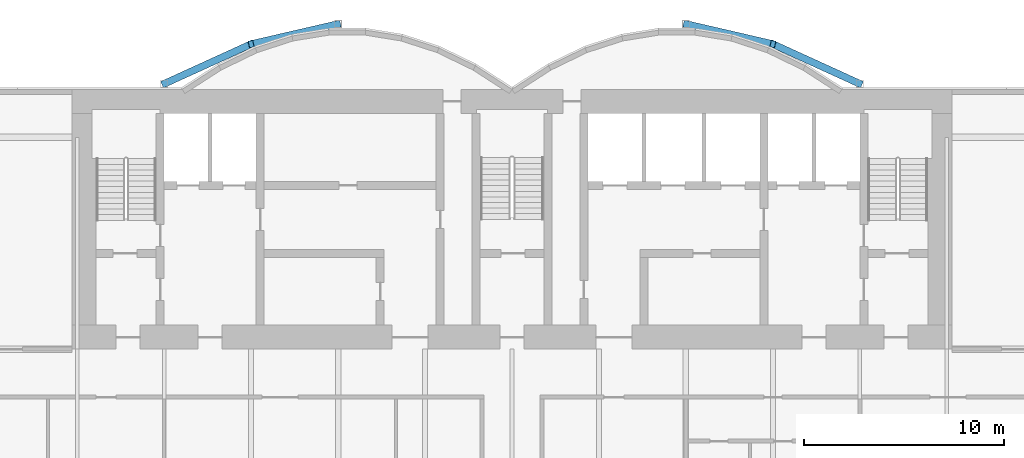
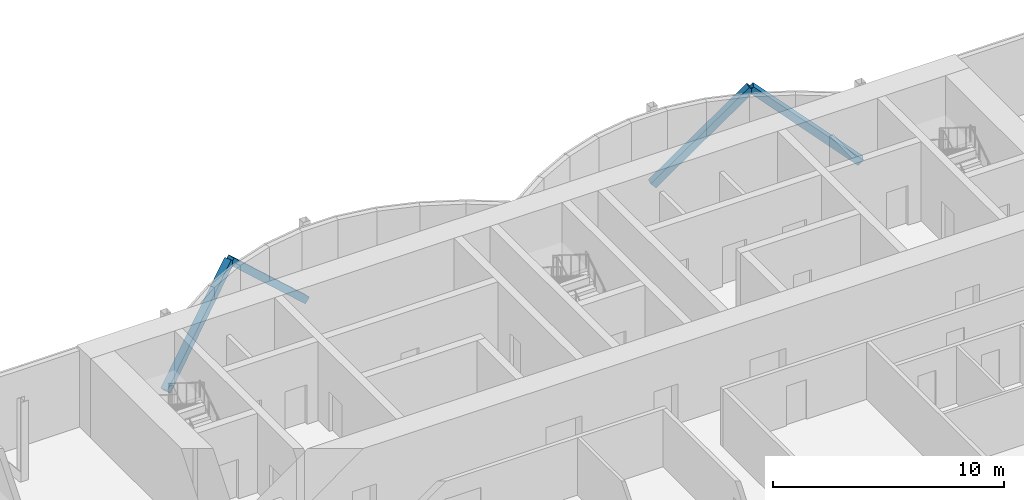
# One storey, part 10 of 19: 4 members.
"""IFC4 building model written with IfcOpenShell, lengths in metres."""

from ifc_helpers import new_model, si_unit, direction, frame, origin, origin_2d, place, context, subcontext, project, spatial, hollow_rectangle, extrude, material, material_profile, profile_set, type_object, element, save


model = new_model("IFC4")

# Units and contexts
model_context = context("Model", 3, precision=1e-05, world=origin(), true_north=direction((0.0, 1.0)))
body_context = subcontext(model_context, "Body", "Model", "MODEL_VIEW")
ifc_project = project(units=[si_unit("LENGTHUNIT", "METRE"), si_unit("AREAUNIT", "SQUARE_METRE"), si_unit("VOLUMEUNIT", "CUBIC_METRE"), si_unit("PLANEANGLEUNIT", "RADIAN"), si_unit("MASSUNIT", "GRAM", prefix="KILO")], contexts=[model_context])

# Site, building, storey
site_placement = place(None, origin())
site = spatial("IfcSite", under=ifc_project, at=site_placement, CompositionType="ELEMENT")
building_placement = place(site_placement, origin())
building = spatial("IfcBuilding", under=site, at=building_placement, Name="Bicima Exchange Tower", CompositionType="ELEMENT")
storey_placement = place(building_placement, frame((0.0, 0.0, 279.199951171875)))
storey = spatial("IfcBuildingStorey", under=building, at=storey_placement, Name="L63", CompositionType="ELEMENT", Elevation=279.199951171875)

# Members
ifc_material = material(Name="Steel ASTM A572 Gr 50", Category="steel")
ifc_material_profile = material_profile(ifc_material, hollow_rectangle(XDim=0.355712890625, YDim=0.355712890625, WallThickness=0.0146484375, at=origin_2d()))
ifc_profile_set = profile_set([ifc_material_profile], Name="Steel ASTM A572 Gr 50")
member_type = type_object("IfcMemberType", Name="Mega brace HSS14x14x5/8", PredefinedType="BRACE", material=ifc_profile_set)
member_1_placement = place(storey_placement, frame((-17.39990234375, 0.278076171875, 0.0), z_axis=(0.683525692449, 0.311819993726, 0.659970392726), x_axis=(-0.415045223819, 0.909800781592, 0.0)))
element("IfcMember", 1, at=member_1_placement, inside=storey, type_object=member_type, Name="Mega brace rexo", PredefinedType="BRACE", context=body_context, shape_type="SweptSolid", body=[
    extrude(hollow_rectangle(XDim=0.355712890625, YDim=0.355712890625, WallThickness=0.0146484375, at=origin_2d()), origin(), (0.0, 0.0, 1.0), 6.36376953125),
])
for number, where, z_axis, x_axis, name in (
    (2, (-8.699951171875, 3.26904296875, 0.0), (-0.709647653042, -0.164209073605, 0.68515369712), (0.225438503722, -0.974257399787, 0.0), "Mega brace rexo"),
    (3, (8.699951171875, 3.26904296875, 0.0), (0.709647653042, -0.164209073605, 0.68515369712), (0.225438503722, 0.974257399787, 0.0), "Mega brace rexo"),
):
    element("IfcMember", number, at=place(storey_placement, frame(where, z_axis=z_axis, x_axis=x_axis)), inside=storey, type_object=member_type, Name=name, PredefinedType="BRACE", context=body_context, shape_type="SweptSolid", body=[
        extrude(hollow_rectangle(XDim=0.355712890625, YDim=0.355712890625, WallThickness=0.0146484375, at=origin_2d()), origin(), (0.0, 0.0, 1.0), 6.1298828125),
    ])
member_2_placement = place(storey_placement, frame((17.39990234375, 0.278076171875, 0.0), z_axis=(-0.683525692449, 0.311819993726, 0.659970392726), x_axis=(-0.415045223819, -0.909800781592, 0.0)))
element("IfcMember", 4, at=member_2_placement, inside=storey, type_object=member_type, Name="Mega brace rexo", PredefinedType="BRACE", context=body_context, shape_type="SweptSolid", body=[
    extrude(hollow_rectangle(XDim=0.355712890625, YDim=0.355712890625, WallThickness=0.0146484375, at=origin_2d()), origin(), (0.0, 0.0, 1.0), 6.36376953125),
])

save(model, "model.ifc")
